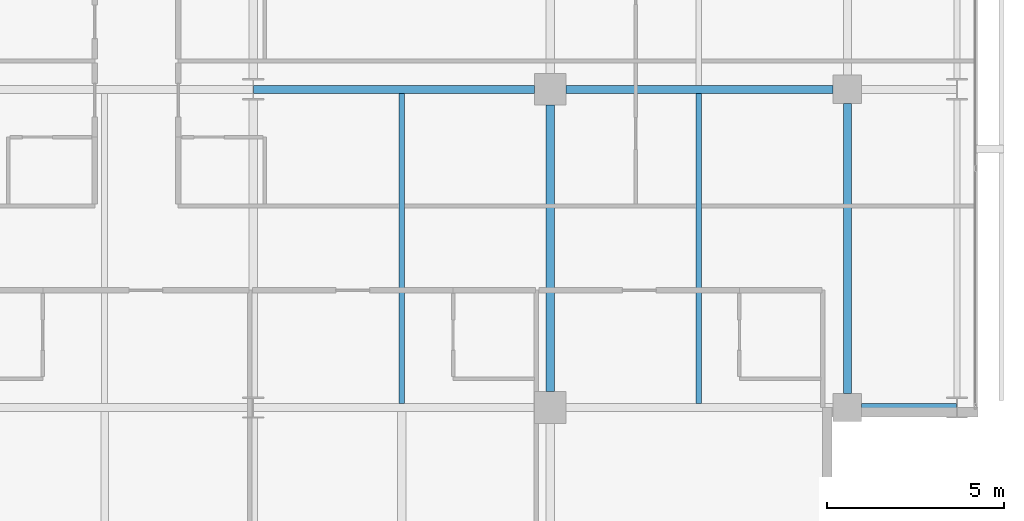
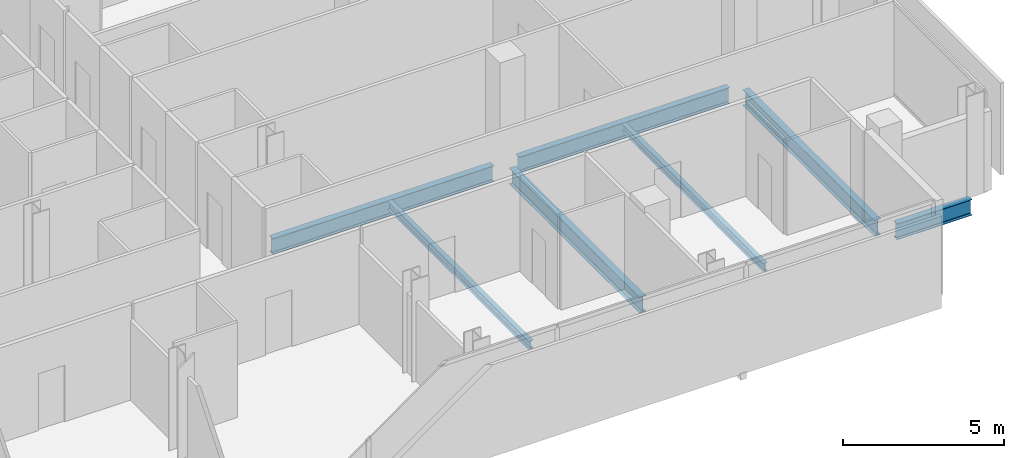
# One storey, part 14 of 34: 7 beams.
"""IFC4 building model written with IfcOpenShell, lengths in metres."""

from ifc_helpers import new_model, si_unit, direction, frame, origin, origin_2d, place, context, subcontext, project, spatial, i_section, extrude, material, material_profile, profile_set, type_object, element, save


model = new_model("IFC4")

# Units and contexts
model_context = context("Model", 3, precision=1e-05, world=origin(), true_north=direction((0.0, 1.0)))
body_context = subcontext(model_context, "Body", "Model", "MODEL_VIEW")
ifc_project = project(units=[si_unit("LENGTHUNIT", "METRE"), si_unit("AREAUNIT", "SQUARE_METRE"), si_unit("VOLUMEUNIT", "CUBIC_METRE"), si_unit("PLANEANGLEUNIT", "RADIAN"), si_unit("MASSUNIT", "GRAM", prefix="KILO")], contexts=[model_context])

# Site, building, storey
site_placement = place(None, origin())
site = spatial("IfcSite", under=ifc_project, at=site_placement, CompositionType="ELEMENT")
building_placement = place(site_placement, origin())
building = spatial("IfcBuilding", under=site, at=building_placement, Name="Maruvema Waterfront Hotel and Observation Tower", CompositionType="ELEMENT")
storey_placement = place(building_placement, frame((0.0, 0.0, 181.300048828125)))
storey = spatial("IfcBuildingStorey", under=building, at=storey_placement, Name="L44", CompositionType="ELEMENT", Elevation=181.300048828125)

# Beams
ifc_material_1 = material(Name="Steel ASTM A572 Grade 50", Category="steel")
ifc_material_profile_1 = material_profile(ifc_material_1, i_section(OverallWidth=0.22802734375, OverallDepth=0.60302734375, WebThickness=0.010498046875, FlangeThickness=0.014892578125, FilletRadius=0.01806640625, at=origin_2d()), Name="W610x101.0")
ifc_profile_set_1 = profile_set([ifc_material_profile_1], Name="Steel ASTM A572 Grade 50")
beam_type_1 = type_object("IfcBeamType", Name="Primary Floor Girder W610x101.0", PredefinedType="BEAM", material=ifc_profile_set_1)
beam_1_placement = place(storey_placement, frame((59.199951171875, 9.0, -0.54150390625), z_axis=(1.0, 0.0, 0.0), x_axis=(0.0, 1.0, 0.0)))
element("IfcBeam", 1, at=beam_1_placement, inside=storey, type_object=beam_type_1, Name="L44 Floor Girder EW-10", PredefinedType="BEAM", context=body_context, shape_type="SweptSolid", body=[
    extrude(i_section(OverallWidth=0.22802734375, OverallDepth=0.60302734375, WebThickness=0.010498046875, FlangeThickness=0.014892578125, FilletRadius=0.01806640625, at=origin_2d()), origin(), (0.0, 0.0, 1.0), 2.6875),
])
beam_2_placement = place(storey_placement, frame((42.012451171875, 18.0, -0.54150390625), z_axis=(1.0, 0.0, 0.0), x_axis=(0.0, 1.0, 0.0)))
element("IfcBeam", 2, at=beam_2_placement, inside=storey, type_object=beam_type_1, Name="L44 Floor Girder EW-15", PredefinedType="BEAM", context=body_context, shape_type="SweptSolid", body=[
    extrude(i_section(OverallWidth=0.22802734375, OverallDepth=0.60302734375, WebThickness=0.010498046875, FlangeThickness=0.014892578125, FilletRadius=0.01806640625, at=origin_2d()), origin(), (0.0, 0.0, 1.0), 7.9375),
])
beam_3_placement = place(storey_placement, frame((50.85009765625, 18.0, -0.54150390625), z_axis=(1.0, 0.0, 0.0), x_axis=(0.0, 1.0, 0.0)))
element("IfcBeam", 3, at=beam_3_placement, inside=storey, type_object=beam_type_1, Name="L44 Floor Girder EW-16", PredefinedType="BEAM", context=body_context, shape_type="SweptSolid", body=[
    extrude(i_section(OverallWidth=0.22802734375, OverallDepth=0.60302734375, WebThickness=0.010498046875, FlangeThickness=0.014892578125, FilletRadius=0.01806640625, at=origin_2d()), origin(), (0.0, 0.0, 1.0), 7.5498046875),
])
beam_4_placement = place(storey_placement, frame((50.39990234375, 9.449951171875, -0.54150390625), z_axis=(0.0, 1.0, 0.0), x_axis=(-1.0, 0.0, 0.0)))
element("IfcBeam", 4, at=beam_4_placement, inside=storey, type_object=beam_type_1, Name="L44 Floor Girder NS-21", PredefinedType="BEAM", context=body_context, shape_type="SweptSolid", body=[
    extrude(i_section(OverallWidth=0.22802734375, OverallDepth=0.60302734375, WebThickness=0.010498046875, FlangeThickness=0.014892578125, FilletRadius=0.01806640625, at=origin_2d()), origin(), (0.0, 0.0, 1.0), 8.10009765625),
])
beam_5_placement = place(storey_placement, frame((58.800048828125, 9.39990234375, -0.54150390625), z_axis=(0.0, 1.0, 0.0), x_axis=(-1.0, 0.0, 0.0)))
element("IfcBeam", 5, at=beam_5_placement, inside=storey, type_object=beam_type_1, Name="L44 Floor Girder NS-25", PredefinedType="BEAM", context=body_context, shape_type="SweptSolid", body=[
    extrude(i_section(OverallWidth=0.22802734375, OverallDepth=0.60302734375, WebThickness=0.010498046875, FlangeThickness=0.014892578125, FilletRadius=0.01806640625, at=origin_2d()), origin(), (0.0, 0.0, 1.0), 8.2001953125),
])
ifc_material_2 = material(Name="Steel ASTM A572 Grade 50", Category="steel")
ifc_material_profile_2 = material_profile(ifc_material_2, i_section(OverallWidth=0.1650390625, OverallDepth=0.31005859375, WebThickness=0.005859375, FlangeThickness=0.009765625, FilletRadius=0.012939453125, at=origin_2d()), Name="W310x38.7")
ifc_profile_set_2 = profile_set([ifc_material_profile_2], Name="Steel ASTM A572 Grade 50")
beam_type_2 = type_object("IfcBeamType", Name="Secondary Floor Joist W310x38.7", PredefinedType="JOIST", material=ifc_profile_set_2)
beam_6_placement = place(storey_placement, frame((54.60009765625, 9.114013671875, -0.39501953125), z_axis=(0.0, 1.0, 0.0), x_axis=(-1.0, 0.0, 0.0)))
element("IfcBeam", 6, at=beam_6_placement, inside=storey, type_object=beam_type_2, Name="L44 Secondary Floor Joist JS-11", PredefinedType="JOIST", context=body_context, shape_type="SweptSolid", body=[
    extrude(i_section(OverallWidth=0.1650390625, OverallDepth=0.31005859375, WebThickness=0.005859375, FlangeThickness=0.009765625, FilletRadius=0.012939453125, at=origin_2d()), origin(), (0.0, 0.0, 1.0), 8.77197265625),
])
ifc_material_3 = material(Name="Steel ASTM A572 Grade 50", Category="steel")
ifc_material_profile_3 = material_profile(ifc_material_3, i_section(OverallWidth=0.1669921875, OverallDepth=0.31689453125, WebThickness=0.007568359375, FlangeThickness=0.01318359375, FilletRadius=0.012939453125, at=origin_2d()), Name="W310x52.0")
ifc_profile_set_3 = profile_set([ifc_material_profile_3], Name="Steel ASTM A572 Grade 50")
beam_type_3 = type_object("IfcBeamType", Name="Secondary Floor Joist W310x52.0", PredefinedType="JOIST", material=ifc_profile_set_3)
beam_7_placement = place(storey_placement, frame((46.199951171875, 9.114013671875, -0.3984375), z_axis=(0.0, 1.0, 0.0), x_axis=(-1.0, 0.0, 0.0)))
element("IfcBeam", 7, at=beam_7_placement, inside=storey, type_object=beam_type_3, Name="L44 Secondary Floor Joist JS-10", PredefinedType="JOIST", context=body_context, shape_type="SweptSolid", body=[
    extrude(i_section(OverallWidth=0.1669921875, OverallDepth=0.31689453125, WebThickness=0.007568359375, FlangeThickness=0.01318359375, FilletRadius=0.012939453125, at=origin_2d()), origin(), (0.0, 0.0, 1.0), 8.77197265625),
])

save(model, "model.ifc")
